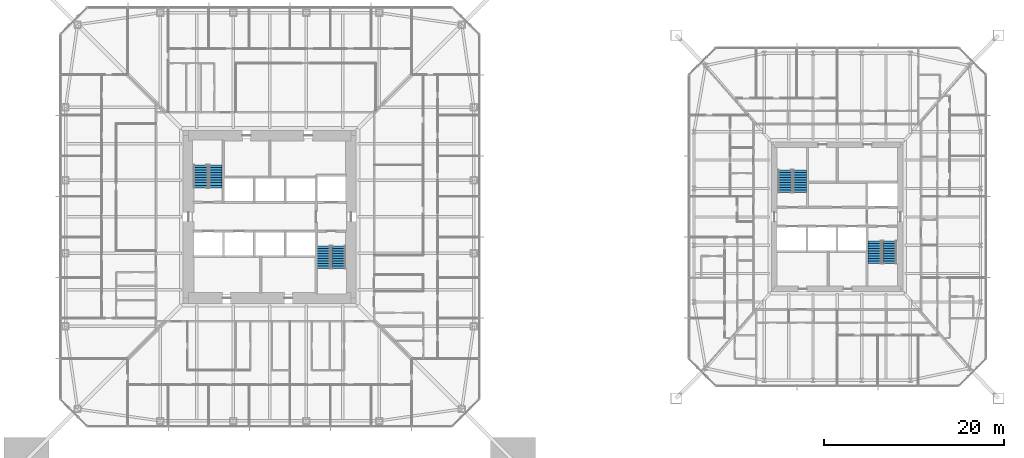
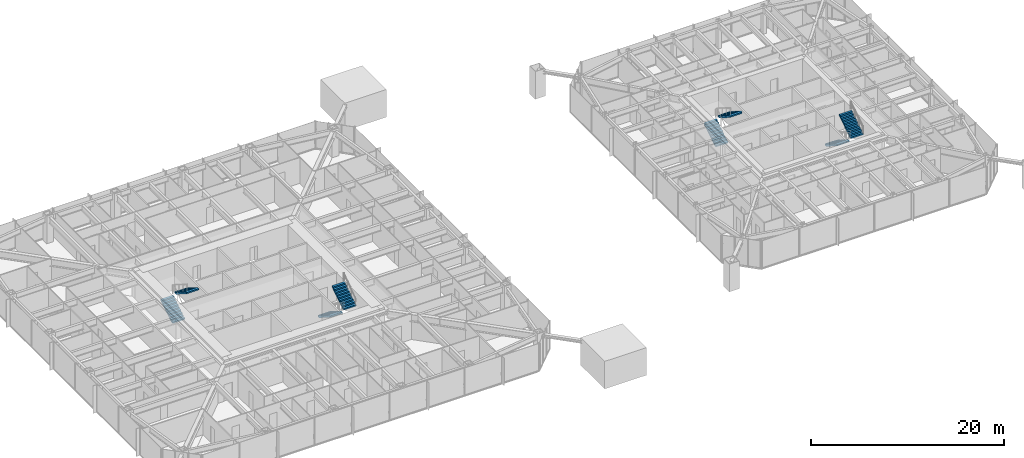
# One storey, part 22 of 26: 8 stair flights, 4 elements without a shape of their own.
"""IFC4 building model written with IfcOpenShell, lengths in metres."""

from ifc_helpers import new_model, si_unit, direction, frame, origin, place, context, subcontext, project, spatial, polyline, outline, extrude, material, constituent, constituent_set, type_object, element, aggregate, save


model = new_model("IFC4")

# Units and contexts
model_context = context("Model", 3, precision=1e-05, world=origin(), true_north=direction((0.0, 1.0)))
body_context = subcontext(model_context, "Body", "Model", "MODEL_VIEW")
ifc_project = project(units=[si_unit("LENGTHUNIT", "METRE"), si_unit("AREAUNIT", "SQUARE_METRE"), si_unit("VOLUMEUNIT", "CUBIC_METRE"), si_unit("PLANEANGLEUNIT", "RADIAN"), si_unit("MASSUNIT", "GRAM", prefix="KILO")], contexts=[model_context])

# Site, building, storey
site_placement = place(None, origin())
site = spatial("IfcSite", under=ifc_project, at=site_placement, CompositionType="ELEMENT")
building_placement = place(site_placement, origin())
building = spatial("IfcBuilding", under=site, at=building_placement, Name="Iwan Alto Co-Living Towers", CompositionType="ELEMENT")
storey_placement = place(building_placement, frame((0.0, 0.0, 50.0)))
storey = spatial("IfcBuildingStorey", under=building, at=storey_placement, Name="L13", CompositionType="ELEMENT", Elevation=50.0)

# Stair, stair flights
ifc_material_1 = material(Name="Steel ASTM A36", Category="steel")
ifc_constituent_1 = constituent(ifc_material_1, Name="Stringers", Category="LoadBearing")
ifc_material_2 = material(Name="Concrete f'c 30 MPa", Category="concrete")
ifc_constituent_2 = constituent(ifc_material_2, Name="Tread fill", Category="Finish")
ifc_constituent_set_1 = constituent_set(constituents=[ifc_constituent_1, ifc_constituent_2], Name="STAIR 3500 TWO-FLIGHT T1 CORE")
stair_type_1 = type_object("IfcStairType", Name="STAIR 3500 TWO-FLIGHT T1 CORE", PredefinedType="HALF_TURN_STAIR", material=ifc_constituent_set_1)
stair_1_placement = place(storey_placement, origin())
stair_1 = element("IfcStair", 1, at=stair_1_placement, inside=storey, type_object=stair_type_1, Name="Stair T1-S1 L13 to L14", PredefinedType="HALF_TURN_STAIR")
ifc_constituent_3 = constituent(ifc_material_1, Name="Stringers", Category="LoadBearing")
ifc_constituent_4 = constituent(ifc_material_2, Name="Tread fill", Category="Finish")
ifc_constituent_set_2 = constituent_set(constituents=[ifc_constituent_3, ifc_constituent_4], Name="STAIR FLIGHT 10 RISERS 280 GOING")
stair_flight_type = type_object("IfcStairFlightType", Name="STAIR FLIGHT 10 RISERS 280 GOING", PredefinedType="STRAIGHT", material=ifc_constituent_set_2)
stair_flight_1_placement = place(storey_placement, frame((-7.68994140625, 3.219970703125, 0.0), z_axis=(0.0, 0.0, 1.0), x_axis=(0.0, 1.0, 0.0)))
stair_flight_1 = element("IfcStairFlight", 2, at=stair_flight_1_placement, type_object=stair_flight_type, Name="T1-S1 flight 1", NumberOfRisers=10, NumberOfTreads=9, PredefinedType="STRAIGHT", RiserHeight=0.175, TreadLength=0.28, context=body_context, shape_type="SweptSolid", body=[
    extrude(outline(polyline([(0.0, 0.0), (0.0, 0.175048828125), (0.280029296875, 0.175048828125), (0.280029296875, 0.35009765625), (0.56005859375, 0.35009765625), (0.56005859375, 0.52490234375), (0.840087890625, 0.52490234375), (0.840087890625, 0.699951171875), (1.1201171875, 0.699951171875), (1.1201171875, 0.875), (1.39990234375, 0.875), (1.39990234375, 1.050048828125), (1.679931640625, 1.050048828125), (1.679931640625, 1.22509765625), (1.9599609375, 1.22509765625), (1.9599609375, 1.39990234375), (2.239990234375, 1.39990234375), (2.239990234375, 1.574951171875), (2.52001953125, 1.574951171875), (2.52001953125, 1.75), (2.52001953125, 1.398193359375), (0.28271484375, 0.0), (0.0, 0.0)])), frame((0.0, 0.739990234375, 0.0), z_axis=(0.0, -1.0, 0.0), x_axis=(1.0, 0.0, 0.0)), (0.0, 0.0, 1.0), 1.47998046875),
])
stair_flight_2_placement = place(storey_placement, frame((-6.010009765625, 5.739990234375, 1.75), z_axis=(0.0, 0.0, 1.0), x_axis=(0.0, -1.0, 0.0)))
stair_flight_2 = element("IfcStairFlight", 3, at=stair_flight_2_placement, type_object=stair_flight_type, Name="T1-S1 flight 2", NumberOfRisers=10, NumberOfTreads=9, PredefinedType="STRAIGHT", RiserHeight=0.175, TreadLength=0.28, context=body_context, shape_type="SweptSolid", body=[
    extrude(outline(polyline([(0.0, 0.0), (0.0, 0.175048828125), (0.280029296875, 0.175048828125), (0.280029296875, 0.35009765625), (0.56005859375, 0.35009765625), (0.56005859375, 0.52490234375), (0.840087890625, 0.52490234375), (0.840087890625, 0.699951171875), (1.1201171875, 0.699951171875), (1.1201171875, 0.875), (1.39990234375, 0.875), (1.39990234375, 1.050048828125), (1.679931640625, 1.050048828125), (1.679931640625, 1.22509765625), (1.9599609375, 1.22509765625), (1.9599609375, 1.39990234375), (2.239990234375, 1.39990234375), (2.239990234375, 1.574951171875), (2.52001953125, 1.574951171875), (2.52001953125, 1.75), (2.52001953125, 1.398193359375), (0.28271484375, 0.0), (0.0, 0.0)])), frame((0.0, 0.739990234375, 0.0), z_axis=(0.0, -1.0, 0.0), x_axis=(1.0, 0.0, 0.0)), (0.0, 0.0, 1.0), 1.47998046875),
])
aggregate(stair_1, [stair_flight_1, stair_flight_2])

stair_2_placement = place(storey_placement, origin())
stair_2 = element("IfcStair", 4, at=stair_2_placement, inside=storey, type_object=stair_type_1, Name="Stair T1-S2 L13 to L14", PredefinedType="HALF_TURN_STAIR")
stair_flight_3_placement = place(storey_placement, frame((6.010009765625, -3.219970703125, 0.0), z_axis=(0.0, 0.0, 1.0), x_axis=(0.0, -1.0, 0.0)))
stair_flight_3 = element("IfcStairFlight", 5, at=stair_flight_3_placement, type_object=stair_flight_type, Name="T1-S2 flight 1", NumberOfRisers=10, NumberOfTreads=9, PredefinedType="STRAIGHT", RiserHeight=0.175, TreadLength=0.28, context=body_context, shape_type="SweptSolid", body=[
    extrude(outline(polyline([(0.0, 0.0), (0.0, 0.175048828125), (0.280029296875, 0.175048828125), (0.280029296875, 0.35009765625), (0.56005859375, 0.35009765625), (0.56005859375, 0.52490234375), (0.840087890625, 0.52490234375), (0.840087890625, 0.699951171875), (1.1201171875, 0.699951171875), (1.1201171875, 0.875), (1.39990234375, 0.875), (1.39990234375, 1.050048828125), (1.679931640625, 1.050048828125), (1.679931640625, 1.22509765625), (1.9599609375, 1.22509765625), (1.9599609375, 1.39990234375), (2.239990234375, 1.39990234375), (2.239990234375, 1.574951171875), (2.52001953125, 1.574951171875), (2.52001953125, 1.75), (2.52001953125, 1.398193359375), (0.28271484375, 0.0), (0.0, 0.0)])), frame((0.0, 0.739990234375, 0.0), z_axis=(0.0, -1.0, 0.0), x_axis=(1.0, 0.0, 0.0)), (0.0, 0.0, 1.0), 1.47998046875),
])
stair_flight_4_placement = place(storey_placement, frame((7.68994140625, -5.739990234375, 1.75), z_axis=(0.0, 0.0, 1.0), x_axis=(0.0, 1.0, 0.0)))
stair_flight_4 = element("IfcStairFlight", 6, at=stair_flight_4_placement, type_object=stair_flight_type, Name="T1-S2 flight 2", NumberOfRisers=10, NumberOfTreads=9, PredefinedType="STRAIGHT", RiserHeight=0.175, TreadLength=0.28, context=body_context, shape_type="SweptSolid", body=[
    extrude(outline(polyline([(0.0, 0.0), (0.0, 0.175048828125), (0.280029296875, 0.175048828125), (0.280029296875, 0.35009765625), (0.56005859375, 0.35009765625), (0.56005859375, 0.52490234375), (0.840087890625, 0.52490234375), (0.840087890625, 0.699951171875), (1.1201171875, 0.699951171875), (1.1201171875, 0.875), (1.39990234375, 0.875), (1.39990234375, 1.050048828125), (1.679931640625, 1.050048828125), (1.679931640625, 1.22509765625), (1.9599609375, 1.22509765625), (1.9599609375, 1.39990234375), (2.239990234375, 1.39990234375), (2.239990234375, 1.574951171875), (2.52001953125, 1.574951171875), (2.52001953125, 1.75), (2.52001953125, 1.398193359375), (0.28271484375, 0.0), (0.0, 0.0)])), frame((0.0, 0.739990234375, 0.0), z_axis=(0.0, -1.0, 0.0), x_axis=(1.0, 0.0, 0.0)), (0.0, 0.0, 1.0), 1.47998046875),
])
aggregate(stair_2, [stair_flight_3, stair_flight_4])

ifc_constituent_5 = constituent(ifc_material_1, Name="Stringers", Category="LoadBearing")
ifc_constituent_6 = constituent(ifc_material_2, Name="Tread fill", Category="Finish")
ifc_constituent_set_3 = constituent_set(constituents=[ifc_constituent_5, ifc_constituent_6], Name="STAIR 3500 TWO-FLIGHT T2 CORE")
stair_type_2 = type_object("IfcStairType", Name="STAIR 3500 TWO-FLIGHT T2 CORE", PredefinedType="HALF_TURN_STAIR", material=ifc_constituent_set_3)
stair_3_placement = place(storey_placement, origin())
stair_3 = element("IfcStair", 7, at=stair_3_placement, inside=storey, type_object=stair_type_2, Name="Stair T2-S1 L13 to L14", PredefinedType="HALF_TURN_STAIR")
stair_flight_5_placement = place(storey_placement, frame((57.159912109375, 2.669921875, 0.0), z_axis=(0.0, 0.0, 1.0), x_axis=(0.0, 1.0, 0.0)))
stair_flight_5 = element("IfcStairFlight", 8, at=stair_flight_5_placement, type_object=stair_flight_type, Name="T2-S1 flight 1", NumberOfRisers=10, NumberOfTreads=9, PredefinedType="STRAIGHT", RiserHeight=0.175, TreadLength=0.28, context=body_context, shape_type="SweptSolid", body=[
    extrude(outline(polyline([(0.0, 0.0), (0.0, 0.175048828125), (0.280029296875, 0.175048828125), (0.280029296875, 0.35009765625), (0.56005859375, 0.35009765625), (0.56005859375, 0.52490234375), (0.840087890625, 0.52490234375), (0.840087890625, 0.699951171875), (1.1201171875, 0.699951171875), (1.1201171875, 0.875), (1.39990234375, 0.875), (1.39990234375, 1.050048828125), (1.679931640625, 1.050048828125), (1.679931640625, 1.22509765625), (1.9599609375, 1.22509765625), (1.9599609375, 1.39990234375), (2.239990234375, 1.39990234375), (2.239990234375, 1.574951171875), (2.52001953125, 1.574951171875), (2.52001953125, 1.75), (2.52001953125, 1.398193359375), (0.28271484375, 0.0), (0.0, 0.0)])), frame((0.0, 0.739990234375, 0.0), z_axis=(0.0, -1.0, 0.0), x_axis=(1.0, 0.0, 0.0)), (0.0, 0.0, 1.0), 1.47998046875),
])
stair_flight_6_placement = place(storey_placement, frame((58.840087890625, 5.18994140625, 1.75), z_axis=(0.0, 0.0, 1.0), x_axis=(0.0, -1.0, 0.0)))
stair_flight_6 = element("IfcStairFlight", 9, at=stair_flight_6_placement, type_object=stair_flight_type, Name="T2-S1 flight 2", NumberOfRisers=10, NumberOfTreads=9, PredefinedType="STRAIGHT", RiserHeight=0.175, TreadLength=0.28, context=body_context, shape_type="SweptSolid", body=[
    extrude(outline(polyline([(0.0, 0.0), (0.0, 0.175048828125), (0.280029296875, 0.175048828125), (0.280029296875, 0.35009765625), (0.56005859375, 0.35009765625), (0.56005859375, 0.52490234375), (0.840087890625, 0.52490234375), (0.840087890625, 0.699951171875), (1.1201171875, 0.699951171875), (1.1201171875, 0.875), (1.39990234375, 0.875), (1.39990234375, 1.050048828125), (1.679931640625, 1.050048828125), (1.679931640625, 1.22509765625), (1.9599609375, 1.22509765625), (1.9599609375, 1.39990234375), (2.239990234375, 1.39990234375), (2.239990234375, 1.574951171875), (2.52001953125, 1.574951171875), (2.52001953125, 1.75), (2.52001953125, 1.398193359375), (0.28271484375, 0.0), (0.0, 0.0)])), frame((0.0, 0.739990234375, 0.0), z_axis=(0.0, -1.0, 0.0), x_axis=(1.0, 0.0, 0.0)), (0.0, 0.0, 1.0), 1.47998046875),
])
aggregate(stair_3, [stair_flight_5, stair_flight_6])

stair_4_placement = place(storey_placement, origin())
stair_4 = element("IfcStair", 10, at=stair_4_placement, inside=storey, type_object=stair_type_2, Name="Stair T2-S2 L13 to L14", PredefinedType="HALF_TURN_STAIR")
stair_flight_7_placement = place(storey_placement, frame((67.159912109375, -2.669921875, 0.0), z_axis=(0.0, 0.0, 1.0), x_axis=(0.0, -1.0, 0.0)))
stair_flight_7 = element("IfcStairFlight", 11, at=stair_flight_7_placement, type_object=stair_flight_type, Name="T2-S2 flight 1", NumberOfRisers=10, NumberOfTreads=9, PredefinedType="STRAIGHT", RiserHeight=0.175, TreadLength=0.28, context=body_context, shape_type="SweptSolid", body=[
    extrude(outline(polyline([(0.0, 0.0), (0.0, 0.175048828125), (0.280029296875, 0.175048828125), (0.280029296875, 0.35009765625), (0.56005859375, 0.35009765625), (0.56005859375, 0.52490234375), (0.840087890625, 0.52490234375), (0.840087890625, 0.699951171875), (1.1201171875, 0.699951171875), (1.1201171875, 0.875), (1.39990234375, 0.875), (1.39990234375, 1.050048828125), (1.679931640625, 1.050048828125), (1.679931640625, 1.22509765625), (1.9599609375, 1.22509765625), (1.9599609375, 1.39990234375), (2.239990234375, 1.39990234375), (2.239990234375, 1.574951171875), (2.52001953125, 1.574951171875), (2.52001953125, 1.75), (2.52001953125, 1.398193359375), (0.28271484375, 0.0), (0.0, 0.0)])), frame((0.0, 0.739990234375, 0.0), z_axis=(0.0, -1.0, 0.0), x_axis=(1.0, 0.0, 0.0)), (0.0, 0.0, 1.0), 1.47998046875),
])
stair_flight_8_placement = place(storey_placement, frame((68.840087890625, -5.18994140625, 1.75), z_axis=(0.0, 0.0, 1.0), x_axis=(0.0, 1.0, 0.0)))
stair_flight_8 = element("IfcStairFlight", 12, at=stair_flight_8_placement, type_object=stair_flight_type, Name="T2-S2 flight 2", NumberOfRisers=10, NumberOfTreads=9, PredefinedType="STRAIGHT", RiserHeight=0.175, TreadLength=0.28, context=body_context, shape_type="SweptSolid", body=[
    extrude(outline(polyline([(0.0, 0.0), (0.0, 0.175048828125), (0.280029296875, 0.175048828125), (0.280029296875, 0.35009765625), (0.56005859375, 0.35009765625), (0.56005859375, 0.52490234375), (0.840087890625, 0.52490234375), (0.840087890625, 0.699951171875), (1.1201171875, 0.699951171875), (1.1201171875, 0.875), (1.39990234375, 0.875), (1.39990234375, 1.050048828125), (1.679931640625, 1.050048828125), (1.679931640625, 1.22509765625), (1.9599609375, 1.22509765625), (1.9599609375, 1.39990234375), (2.239990234375, 1.39990234375), (2.239990234375, 1.574951171875), (2.52001953125, 1.574951171875), (2.52001953125, 1.75), (2.52001953125, 1.398193359375), (0.28271484375, 0.0), (0.0, 0.0)])), frame((0.0, 0.739990234375, 0.0), z_axis=(0.0, -1.0, 0.0), x_axis=(1.0, 0.0, 0.0)), (0.0, 0.0, 1.0), 1.47998046875),
])
aggregate(stair_4, [stair_flight_7, stair_flight_8])

save(model, "model.ifc")
